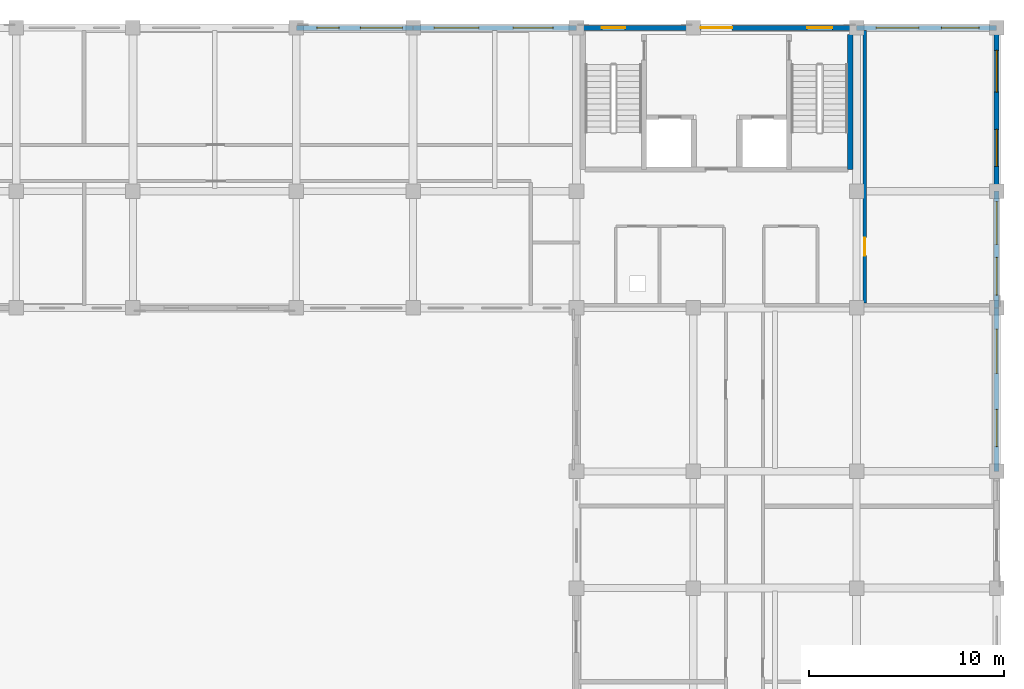
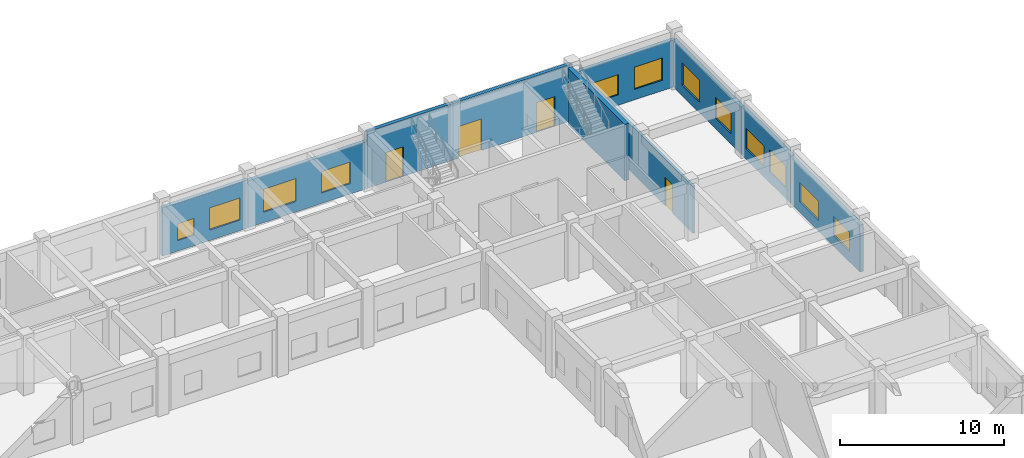
# One storey, part 48 of 67: 12 windows, 10 walls, 4 doors, 16 openings.
"""IFC4 building model written with IfcOpenShell, lengths in metres."""

from ifc_helpers import new_model, si_unit, direction, frame, frame_2d, origin, place, context, subcontext, project, spatial, rectangle, extrude, material, layer, layer_set, type_object, element, fill, save


model = new_model("IFC4")

# Units and contexts
model_context = context("Model", 3, precision=1e-05, world=origin(), true_north=direction((0.0, 1.0)))
body_context = subcontext(model_context, "Body", "Model", "MODEL_VIEW")
ifc_project = project(units=[si_unit("LENGTHUNIT", "METRE"), si_unit("AREAUNIT", "SQUARE_METRE"), si_unit("VOLUMEUNIT", "CUBIC_METRE"), si_unit("PLANEANGLEUNIT", "RADIAN"), si_unit("MASSUNIT", "GRAM", prefix="KILO"), si_unit("THERMODYNAMICTEMPERATUREUNIT", "KELVIN")], contexts=[model_context])

# Site, building, storey
site_placement = place(None, origin())
site = spatial("IfcSite", under=ifc_project, at=site_placement, CompositionType="ELEMENT")
building_placement = place(site_placement, origin())
building = spatial("IfcBuilding", under=site, at=building_placement, Name="Thalorik Housing Commons", CompositionType="ELEMENT")
storey_placement = place(building_placement, origin())
storey = spatial("IfcBuildingStorey", under=building, at=storey_placement, Name="L00", CompositionType="ELEMENT", Elevation=0.0)

# Wall
ifc_material_1 = material(Name="Concrete C40/50", Category="concrete")
ifc_layer_1 = layer(ifc_material_1, 0.300048828125, Name="Concrete C40/50", Category="concrete")
ifc_layer_set_1 = layer_set([ifc_layer_1], Name="Concrete C40/50")
wall_type_1 = type_object("IfcWallType", Name="ARC-WAL-CORE-300", PredefinedType="SHEAR", material=ifc_layer_set_1)
wall_1_placement = place(storey_placement, frame((166.47509765625, 123.25, 0.0), z_axis=(0.0, 0.0, 1.0), x_axis=(0.0, -1.0, 0.0)))
element("IfcWall", 1, at=wall_1_placement, inside=storey, type_object=wall_type_1, Name="L00 Core B Stair 2 Outer Shear Wall", PredefinedType="SHEAR", context=body_context, shape_type="SweptSolid", body=[
    extrude(rectangle(XDim=6.925048828125, YDim=0.300048828125, at=frame_2d((3.46240234375, 0.0))), origin(), (0.0, 0.0, 1.0), 4.199951171875),
])

# Wall, opening, door
ifc_material_2 = material(Name="Masonry fire-rated corridor wall", Category="masonry")
ifc_layer_2 = layer(ifc_material_2, 0.1650390625, Name="Masonry fire-rated corridor wall", Category="masonry")
ifc_layer_set_2 = layer_set([ifc_layer_2], Name="Masonry fire-rated corridor wall")
wall_type_2 = type_object("IfcWallType", Name="ARC-WAL-CORR-165", PredefinedType="PARTITIONING", material=ifc_layer_set_2)
wall_2_placement = place(storey_placement, frame((167.219970703125, 109.44189453125, 0.0), z_axis=(0.0, 0.0, 1.0), x_axis=(0.0, 1.0, 0.0)))
wall_2 = element("IfcWall", 2, at=wall_2_placement, inside=storey, type_object=wall_type_2, Name="L00 Block B East Studio Wall", PredefinedType="PARTITIONING", context=body_context, shape_type="SweptSolid", body=[
    extrude(rectangle(XDim=14.01806640625, YDim=0.1650390625, at=frame_2d((7.009033203125, 0.0))), origin(), (0.0, 0.0, 1.0), 3.485107421875),
])
opening_1_placement = place(wall_2_placement, frame((2.447998046875, 0.0, 0.0)))
opening_1 = element("IfcOpeningElement", 3, at=opening_1_placement, cuts=wall_2, Name="Opening ID-1003", PredefinedType="OPENING", context=body_context, shape_type="SweptSolid", body=[
    extrude(rectangle(XDim=0.919921875, YDim=2.10009765625, at=frame_2d((0.4599609375, 1.050048828125))), frame((0.0, 0.092529296875, 0.0), z_axis=(0.0, -1.0, 0.0), x_axis=(1.0, 0.0, 0.0)), (0.0, 0.0, 1.0), 0.18505859375),
])
ifc_material_3 = material(Name="Solid core hardwood timber", Category="wood")
door_type_1 = type_object("IfcDoorType", Name="ARC-DR-FD30-920", OperationType="NOTDEFINED", PredefinedType="DOOR", material=ifc_material_3)
door_1_placement = place(opening_1_placement, origin())
door_1 = element("IfcDoor", 4, at=door_1_placement, inside=storey, type_object=door_type_1, Name="L00 Block B East Room Door", OperationType="SINGLE_SWING_RIGHT", OverallHeight=2.10009765625, OverallWidth=0.919921875, PredefinedType="DOOR", context=body_context, shape_type="SweptSolid", body=[
    extrude(rectangle(XDim=0.919921875, YDim=2.10009765625, at=frame_2d((0.4599609375, 1.050048828125))), frame((0.0, 0.02490234375, 0.0), z_axis=(0.0, -1.0, 0.0), x_axis=(1.0, 0.0, 0.0)), (0.0, 0.0, 1.0), 0.050048828125),
])
fill(opening_1, door_1)

# Wall, openings, windows
ifc_material_4 = material(Name="White precast concrete C40/50", Category="concrete")
ifc_layer_3 = layer(ifc_material_4, 0.2548828125, Name="White precast concrete C40/50", Category="concrete")
ifc_layer_set_3 = layer_set([ifc_layer_3], Name="White precast concrete C40/50")
wall_type_3 = type_object("IfcWallType", Name="ARC-WAL-EXT-255", PredefinedType="STANDARD", material=ifc_layer_set_3)
wall_3_placement = place(storey_placement, frame((174.0, 109.199951171875, 0.0), z_axis=(0.0, 0.0, 1.0), x_axis=(0.0, 1.0, 0.0)))
wall_3 = element("IfcWall", 5, at=wall_3_placement, inside=storey, type_object=wall_type_3, Name="L00 Exterior Wall WAL-EXT-L00-B-0369", PredefinedType="STANDARD", context=body_context, shape_type="SweptSolid", body=[
    extrude(rectangle(XDim=6.0, YDim=0.2548828125, at=frame_2d((3.0, 0.0))), origin(), (0.0, 0.0, 1.0), 3.5849609375),
])
opening_2_placement = place(wall_3_placement, frame((0.655029296875, 0.0, 0.780029296875)))
opening_2 = element("IfcOpeningElement", 6, at=opening_2_placement, cuts=wall_3, Name="Opening W-22", PredefinedType="OPENING", context=body_context, shape_type="SweptSolid", body=[
    extrude(rectangle(XDim=1.949951171875, YDim=1.64990234375, at=frame_2d((0.97509765625, 0.824951171875))), frame((0.0, 0.137451171875, 0.0), z_axis=(0.0, -1.0, 0.0), x_axis=(1.0, 0.0, 0.0)), (0.0, 0.0, 1.0), 0.27490234375),
])
opening_3_placement = place(wall_3_placement, frame((3.27001953125, 0.0, 0.780029296875)))
opening_3 = element("IfcOpeningElement", 7, at=opening_3_placement, cuts=wall_3, Name="Opening W-29", PredefinedType="OPENING", context=body_context, shape_type="SweptSolid", body=[
    extrude(rectangle(XDim=2.199951171875, YDim=1.5, at=frame_2d((1.10009765625, 0.75))), frame((0.0, 0.137451171875, 0.0), z_axis=(0.0, -1.0, 0.0), x_axis=(1.0, 0.0, 0.0)), (0.0, 0.0, 1.0), 0.27490234375),
])
ifc_material_5 = material(Name="Anodised aluminium and solar-control low-E glass", Category="aluminium")
window_type_1 = type_object("IfcWindowType", Name="ARC-WIN-22", PartitioningType="DOUBLE_PANEL_VERTICAL", PredefinedType="WINDOW", material=ifc_material_5)
window_1_placement = place(opening_2_placement, origin())
window_1 = element("IfcWindow", 8, at=window_1_placement, inside=storey, type_object=window_type_1, Name="L00 Facade Window 655", OverallHeight=1.64990234375, OverallWidth=1.949951171875, PartitioningType="DOUBLE_PANEL_VERTICAL", PredefinedType="WINDOW", context=body_context, shape_type="SweptSolid", body=[
    extrude(rectangle(XDim=1.949951171875, YDim=1.64990234375, at=frame_2d((0.97509765625, 0.824951171875))), frame((0.0, 0.030029296875, 0.0), z_axis=(0.0, -1.0, 0.0), x_axis=(1.0, 0.0, 0.0)), (0.0, 0.0, 1.0), 0.06005859375),
])
fill(opening_2, window_1)
window_type_2 = type_object("IfcWindowType", Name="ARC-WIN-29", PartitioningType="DOUBLE_PANEL_VERTICAL", PredefinedType="WINDOW", material=ifc_material_5)
window_2_placement = place(opening_3_placement, origin())
window_2 = element("IfcWindow", 9, at=window_2_placement, inside=storey, type_object=window_type_2, Name="L00 Facade Window 656", OverallHeight=1.5, OverallWidth=2.199951171875, PartitioningType="DOUBLE_PANEL_VERTICAL", PredefinedType="WINDOW", context=body_context, shape_type="SweptSolid", body=[
    extrude(rectangle(XDim=2.199951171875, YDim=1.5, at=frame_2d((1.10009765625, 0.75))), frame((0.0, 0.030029296875, 0.0), z_axis=(0.0, -1.0, 0.0), x_axis=(1.0, 0.0, 0.0)), (0.0, 0.0, 1.0), 0.06005859375),
])
fill(opening_3, window_2)

wall_4_placement = place(storey_placement, frame((174.0, 115.199951171875, 0.0), z_axis=(0.0, 0.0, 1.0), x_axis=(0.0, 1.0, 0.0)))
wall_4 = element("IfcWall", 10, at=wall_4_placement, inside=storey, type_object=wall_type_3, Name="L00 Exterior Wall WAL-EXT-L00-B-0370", PredefinedType="STANDARD", context=body_context, shape_type="SweptSolid", body=[
    extrude(rectangle(XDim=8.400146484375, YDim=0.2548828125, at=frame_2d((4.2001953125, 0.0))), origin(), (0.0, 0.0, 1.0), 3.485107421875),
])
opening_4_placement = place(wall_4_placement, frame((1.280029296875, 0.0, 0.780029296875)))
opening_4 = element("IfcOpeningElement", 11, at=opening_4_placement, cuts=wall_4, Name="Opening W-21", PredefinedType="OPENING", context=body_context, shape_type="SweptSolid", body=[
    extrude(rectangle(XDim=1.89990234375, YDim=1.550048828125, at=frame_2d((0.949951171875, 0.77490234375))), frame((0.0, 0.137451171875, 0.0), z_axis=(0.0, -1.0, 0.0), x_axis=(1.0, 0.0, 0.0)), (0.0, 0.0, 1.0), 0.27490234375),
])
opening_5_placement = place(wall_4_placement, frame((5.094970703125, 0.0, 0.780029296875)))
opening_5 = element("IfcOpeningElement", 12, at=opening_5_placement, cuts=wall_4, Name="Opening W-28", PredefinedType="OPENING", context=body_context, shape_type="SweptSolid", body=[
    extrude(rectangle(XDim=2.14990234375, YDim=1.64990234375, at=frame_2d((1.074951171875, 0.824951171875))), frame((0.0, 0.137451171875, 0.0), z_axis=(0.0, -1.0, 0.0), x_axis=(1.0, 0.0, 0.0)), (0.0, 0.0, 1.0), 0.27490234375),
])
window_type_3 = type_object("IfcWindowType", Name="ARC-WIN-21", PartitioningType="DOUBLE_PANEL_VERTICAL", PredefinedType="WINDOW", material=ifc_material_5)
window_3_placement = place(opening_4_placement, origin())
window_3 = element("IfcWindow", 13, at=window_3_placement, inside=storey, type_object=window_type_3, Name="L00 Facade Window 657", OverallHeight=1.550048828125, OverallWidth=1.89990234375, PartitioningType="DOUBLE_PANEL_VERTICAL", PredefinedType="WINDOW", context=body_context, shape_type="SweptSolid", body=[
    extrude(rectangle(XDim=1.89990234375, YDim=1.550048828125, at=frame_2d((0.949951171875, 0.77490234375))), frame((0.0, 0.030029296875, 0.0), z_axis=(0.0, -1.0, 0.0), x_axis=(1.0, 0.0, 0.0)), (0.0, 0.0, 1.0), 0.06005859375),
])
fill(opening_4, window_3)
window_type_4 = type_object("IfcWindowType", Name="ARC-WIN-28", PartitioningType="DOUBLE_PANEL_VERTICAL", PredefinedType="WINDOW", material=ifc_material_5)
window_4_placement = place(opening_5_placement, origin())
window_4 = element("IfcWindow", 14, at=window_4_placement, inside=storey, type_object=window_type_4, Name="L00 Facade Window 658", OverallHeight=1.64990234375, OverallWidth=2.14990234375, PartitioningType="DOUBLE_PANEL_VERTICAL", PredefinedType="WINDOW", context=body_context, shape_type="SweptSolid", body=[
    extrude(rectangle(XDim=2.14990234375, YDim=1.64990234375, at=frame_2d((1.074951171875, 0.824951171875))), frame((0.0, 0.030029296875, 0.0), z_axis=(0.0, -1.0, 0.0), x_axis=(1.0, 0.0, 0.0)), (0.0, 0.0, 1.0), 0.06005859375),
])
fill(opening_5, window_4)

wall_5_placement = place(storey_placement, frame((174.0, 123.60009765625, 0.0), z_axis=(0.0, 0.0, 1.0), x_axis=(-1.0, 0.0, 0.0)))
wall_5 = element("IfcWall", 15, at=wall_5_placement, inside=storey, type_object=wall_type_3, Name="L00 Exterior Wall WAL-EXT-L00-B-0371", PredefinedType="STANDARD", context=body_context, shape_type="SweptSolid", body=[
    extrude(rectangle(XDim=7.199951171875, YDim=0.2548828125, at=frame_2d((3.60009765625, 0.0))), origin(), (0.0, 0.0, 1.0), 3.485107421875),
])
opening_6_placement = place(wall_5_placement, frame((0.8974609375, 0.0, 0.780029296875)))
opening_6 = element("IfcOpeningElement", 16, at=opening_6_placement, cuts=wall_5, Name="Opening W-22", PredefinedType="OPENING", context=body_context, shape_type="SweptSolid", body=[
    extrude(rectangle(XDim=1.949951171875, YDim=1.64990234375, at=frame_2d((0.97509765625, 0.824951171875))), frame((0.0, 0.137451171875, 0.0), z_axis=(0.0, -1.0, 0.0), x_axis=(1.0, 0.0, 0.0)), (0.0, 0.0, 1.0), 0.27490234375),
])
opening_7_placement = place(wall_5_placement, frame((3.99755859375, 0.0, 0.780029296875)))
opening_7 = element("IfcOpeningElement", 17, at=opening_7_placement, cuts=wall_5, Name="Opening W-29", PredefinedType="OPENING", context=body_context, shape_type="SweptSolid", body=[
    extrude(rectangle(XDim=2.199951171875, YDim=1.5, at=frame_2d((1.10009765625, 0.75))), frame((0.0, 0.137451171875, 0.0), z_axis=(0.0, -1.0, 0.0), x_axis=(1.0, 0.0, 0.0)), (0.0, 0.0, 1.0), 0.27490234375),
])
window_5_placement = place(opening_6_placement, origin())
window_5 = element("IfcWindow", 18, at=window_5_placement, inside=storey, type_object=window_type_1, Name="L00 Facade Window 659", OverallHeight=1.64990234375, OverallWidth=1.949951171875, PartitioningType="DOUBLE_PANEL_VERTICAL", PredefinedType="WINDOW", context=body_context, shape_type="SweptSolid", body=[
    extrude(rectangle(XDim=1.949951171875, YDim=1.64990234375, at=frame_2d((0.97509765625, 0.824951171875))), frame((0.0, 0.030029296875, 0.0), z_axis=(0.0, -1.0, 0.0), x_axis=(1.0, 0.0, 0.0)), (0.0, 0.0, 1.0), 0.06005859375),
])
fill(opening_6, window_5)
window_6_placement = place(opening_7_placement, origin())
window_6 = element("IfcWindow", 19, at=window_6_placement, inside=storey, type_object=window_type_2, Name="L00 Facade Window 660", OverallHeight=1.5, OverallWidth=2.199951171875, PartitioningType="DOUBLE_PANEL_VERTICAL", PredefinedType="WINDOW", context=body_context, shape_type="SweptSolid", body=[
    extrude(rectangle(XDim=2.199951171875, YDim=1.5, at=frame_2d((1.10009765625, 0.75))), frame((0.0, 0.030029296875, 0.0), z_axis=(0.0, -1.0, 0.0), x_axis=(1.0, 0.0, 0.0)), (0.0, 0.0, 1.0), 0.06005859375),
])
fill(opening_7, window_6)

# Wall, openings, doors
wall_6_placement = place(storey_placement, frame((166.800048828125, 123.60009765625, 0.0), z_axis=(0.0, 0.0, 1.0), x_axis=(-1.0, 0.0, 0.0)))
wall_6 = element("IfcWall", 20, at=wall_6_placement, inside=storey, type_object=wall_type_3, Name="L00 Exterior Wall WAL-EXT-L00-B-0372", PredefinedType="STANDARD", context=body_context, shape_type="SweptSolid", body=[
    extrude(rectangle(XDim=8.400146484375, YDim=0.2548828125, at=frame_2d((4.2001953125, 0.0))), origin(), (0.0, 0.0, 1.0), 4.199951171875),
])
opening_8_placement = place(wall_6_placement, frame((6.39990234375, 0.0, 0.0)))
opening_8 = element("IfcOpeningElement", 21, at=opening_8_placement, cuts=wall_6, Name="Opening ED-0116", PredefinedType="OPENING", context=body_context, shape_type="SweptSolid", body=[
    extrude(rectangle(XDim=1.60009765625, YDim=2.35009765625, at=frame_2d((0.800048828125, 1.175048828125))), frame((0.0, 0.137451171875, 0.0), z_axis=(0.0, -1.0, 0.0), x_axis=(1.0, 0.0, 0.0)), (0.0, 0.0, 1.0), 0.27490234375),
])
opening_9_placement = place(wall_6_placement, frame((1.25, 0.0, 0.0)))
opening_9 = element("IfcOpeningElement", 22, at=opening_9_placement, cuts=wall_6, Name="Opening ED-0117", PredefinedType="OPENING", context=body_context, shape_type="SweptSolid", body=[
    extrude(rectangle(XDim=1.300048828125, YDim=2.199951171875, at=frame_2d((0.64990234375, 1.10009765625))), frame((0.0, 0.137451171875, 0.0), z_axis=(0.0, -1.0, 0.0), x_axis=(1.0, 0.0, 0.0)), (0.0, 0.0, 1.0), 0.27490234375),
])
ifc_material_6 = material(Name="Anodised aluminium and laminated safety glass", Category="aluminium")
door_type_2 = type_object("IfcDoorType", Name="ARC-DR-EXT-EXIT-1300", OperationType="NOTDEFINED", PredefinedType="DOOR", material=ifc_material_6)
door_2_placement = place(opening_9_placement, frame((1.300048828125, 0.0, 0.0), z_axis=(0.0, 0.0, 1.0), x_axis=(-1.0, 0.0, 0.0)))
door_2 = element("IfcDoor", 23, at=door_2_placement, inside=storey, type_object=door_type_2, Name="L00 Stair ST-B2 Final Street Exit Door", OperationType="SINGLE_SWING_RIGHT", OverallHeight=2.199951171875, OverallWidth=1.300048828125, PredefinedType="DOOR", context=body_context, shape_type="SweptSolid", body=[
    extrude(rectangle(XDim=1.300048828125, YDim=2.199951171875, at=frame_2d((0.64990234375, 1.10009765625))), frame((0.0, 0.02490234375, 0.0), z_axis=(0.0, -1.0, 0.0), x_axis=(1.0, 0.0, 0.0)), (0.0, 0.0, 1.0), 0.050048828125),
])
fill(opening_9, door_2)
door_type_3 = type_object("IfcDoorType", Name="ARC-DR-EXT-LOB-1600", OperationType="NOTDEFINED", PredefinedType="DOOR", material=ifc_material_6)
door_3_placement = place(opening_8_placement, frame((1.60009765625, 0.0, 0.0), z_axis=(0.0, 0.0, 1.0), x_axis=(-1.0, 0.0, 0.0)))
door_3 = element("IfcDoor", 24, at=door_3_placement, inside=storey, type_object=door_type_3, Name="L00 Block B Main Lobby Street Entrance Door", OperationType="DOUBLE_DOOR_SINGLE_SWING", OverallHeight=2.35009765625, OverallWidth=1.60009765625, PredefinedType="DOOR", context=body_context, shape_type="SweptSolid", body=[
    extrude(rectangle(XDim=1.60009765625, YDim=2.35009765625, at=frame_2d((0.800048828125, 1.175048828125))), frame((0.0, 0.02490234375, 0.0), z_axis=(0.0, -1.0, 0.0), x_axis=(1.0, 0.0, 0.0)), (0.0, 0.0, 1.0), 0.050048828125),
])
fill(opening_8, door_3)

# Wall, opening, door
wall_7_placement = place(storey_placement, frame((158.39990234375, 123.60009765625, 0.0), z_axis=(0.0, 0.0, 1.0), x_axis=(-1.0, 0.0, 0.0)))
wall_7 = element("IfcWall", 25, at=wall_7_placement, inside=storey, type_object=wall_type_3, Name="L00 Exterior Wall WAL-EXT-L00-B-0373", PredefinedType="STANDARD", context=body_context, shape_type="SweptSolid", body=[
    extrude(rectangle(XDim=6.0, YDim=0.2548828125, at=frame_2d((3.0, 0.0))), origin(), (0.0, 0.0, 1.0), 4.199951171875),
])
opening_10_placement = place(wall_7_placement, frame((3.5, 0.0, 0.0)))
opening_10 = element("IfcOpeningElement", 26, at=opening_10_placement, cuts=wall_7, Name="Opening ED-0118", PredefinedType="OPENING", context=body_context, shape_type="SweptSolid", body=[
    extrude(rectangle(XDim=1.199951171875, YDim=2.199951171875, at=frame_2d((0.60009765625, 1.10009765625))), frame((0.0, 0.137451171875, 0.0), z_axis=(0.0, -1.0, 0.0), x_axis=(1.0, 0.0, 0.0)), (0.0, 0.0, 1.0), 0.27490234375),
])
door_type_4 = type_object("IfcDoorType", Name="ARC-DR-EXT-EXIT-1200", OperationType="NOTDEFINED", PredefinedType="DOOR", material=ifc_material_6)
door_4_placement = place(opening_10_placement, frame((1.199951171875, 0.0, 0.0), z_axis=(0.0, 0.0, 1.0), x_axis=(-1.0, 0.0, 0.0)))
door_4 = element("IfcDoor", 27, at=door_4_placement, inside=storey, type_object=door_type_4, Name="L00 Stair ST-B1 Final Street Exit Door", OperationType="SINGLE_SWING_LEFT", OverallHeight=2.199951171875, OverallWidth=1.199951171875, PredefinedType="DOOR", context=body_context, shape_type="SweptSolid", body=[
    extrude(rectangle(XDim=1.199951171875, YDim=2.199951171875, at=frame_2d((0.60009765625, 1.10009765625))), frame((0.0, 0.02490234375, 0.0), z_axis=(0.0, -1.0, 0.0), x_axis=(1.0, 0.0, 0.0)), (0.0, 0.0, 1.0), 0.050048828125),
])
fill(opening_10, door_4)

# Wall, openings, windows
wall_8_placement = place(storey_placement, frame((152.39990234375, 123.60009765625, 0.0), z_axis=(0.0, 0.0, 1.0), x_axis=(-1.0, 0.0, 0.0)))
wall_8 = element("IfcWall", 28, at=wall_8_placement, inside=storey, type_object=wall_type_3, Name="L00 Exterior Wall WAL-EXT-L00-B-0374", PredefinedType="STANDARD", context=body_context, shape_type="SweptSolid", body=[
    extrude(rectangle(XDim=8.39990234375, YDim=0.2548828125, at=frame_2d((4.199951171875, 0.0))), origin(), (0.0, 0.0, 1.0), 3.485107421875),
])
opening_11_placement = place(wall_8_placement, frame((1.205078125, 0.0, 0.780029296875)))
opening_11 = element("IfcOpeningElement", 29, at=opening_11_placement, cuts=wall_8, Name="Opening W-25", PredefinedType="OPENING", context=body_context, shape_type="SweptSolid", body=[
    extrude(rectangle(XDim=2.050048828125, YDim=1.60009765625, at=frame_2d((1.02490234375, 0.800048828125))), frame((0.0, 0.137451171875, 0.0), z_axis=(0.0, -1.0, 0.0), x_axis=(1.0, 0.0, 0.0)), (0.0, 0.0, 1.0), 0.27490234375),
])
opening_12_placement = place(wall_8_placement, frame((5.02001953125, 0.0, 0.780029296875)))
opening_12 = element("IfcOpeningElement", 30, at=opening_12_placement, cuts=wall_8, Name="Opening W-32", PredefinedType="OPENING", context=body_context, shape_type="SweptSolid", body=[
    extrude(rectangle(XDim=2.300048828125, YDim=1.699951171875, at=frame_2d((1.14990234375, 0.85009765625))), frame((0.0, 0.137451171875, 0.0), z_axis=(0.0, -1.0, 0.0), x_axis=(1.0, 0.0, 0.0)), (0.0, 0.0, 1.0), 0.27490234375),
])
window_type_5 = type_object("IfcWindowType", Name="ARC-WIN-25", PartitioningType="DOUBLE_PANEL_VERTICAL", PredefinedType="WINDOW", material=ifc_material_5)
window_7_placement = place(opening_11_placement, origin())
window_7 = element("IfcWindow", 31, at=window_7_placement, inside=storey, type_object=window_type_5, Name="L00 Facade Window 661", OverallHeight=1.60009765625, OverallWidth=2.050048828125, PartitioningType="DOUBLE_PANEL_VERTICAL", PredefinedType="WINDOW", context=body_context, shape_type="SweptSolid", body=[
    extrude(rectangle(XDim=2.050048828125, YDim=1.60009765625, at=frame_2d((1.02490234375, 0.800048828125))), frame((0.0, 0.030029296875, 0.0), z_axis=(0.0, -1.0, 0.0), x_axis=(1.0, 0.0, 0.0)), (0.0, 0.0, 1.0), 0.06005859375),
])
fill(opening_11, window_7)
window_type_6 = type_object("IfcWindowType", Name="ARC-WIN-32", PartitioningType="DOUBLE_PANEL_VERTICAL", PredefinedType="WINDOW", material=ifc_material_5)
window_8_placement = place(opening_12_placement, origin())
window_8 = element("IfcWindow", 32, at=window_8_placement, inside=storey, type_object=window_type_6, Name="L00 Facade Window 662", OverallHeight=1.699951171875, OverallWidth=2.300048828125, PartitioningType="DOUBLE_PANEL_VERTICAL", PredefinedType="WINDOW", context=body_context, shape_type="SweptSolid", body=[
    extrude(rectangle(XDim=2.300048828125, YDim=1.699951171875, at=frame_2d((1.14990234375, 0.85009765625))), frame((0.0, 0.030029296875, 0.0), z_axis=(0.0, -1.0, 0.0), x_axis=(1.0, 0.0, 0.0)), (0.0, 0.0, 1.0), 0.06005859375),
])
fill(opening_12, window_8)

wall_9_placement = place(storey_placement, frame((144.0, 123.60009765625, 0.0), z_axis=(0.0, 0.0, 1.0), x_axis=(-1.0, 0.0, 0.0)))
wall_9 = element("IfcWall", 33, at=wall_9_placement, inside=storey, type_object=wall_type_3, Name="L00 Exterior Wall WAL-EXT-L00-B-0375", PredefinedType="STANDARD", context=body_context, shape_type="SweptSolid", body=[
    extrude(rectangle(XDim=6.0, YDim=0.2548828125, at=frame_2d((3.0, 0.0))), origin(), (0.0, 0.0, 1.0), 3.5849609375),
])
opening_13_placement = place(wall_9_placement, frame((0.554931640625, 0.0, 0.780029296875)))
opening_13 = element("IfcOpeningElement", 34, at=opening_13_placement, cuts=wall_9, Name="Opening W-28", PredefinedType="OPENING", context=body_context, shape_type="SweptSolid", body=[
    extrude(rectangle(XDim=2.14990234375, YDim=1.64990234375, at=frame_2d((1.074951171875, 0.824951171875))), frame((0.0, 0.137451171875, 0.0), z_axis=(0.0, -1.0, 0.0), x_axis=(1.0, 0.0, 0.0)), (0.0, 0.0, 1.0), 0.27490234375),
])
opening_14_placement = place(wall_9_placement, frame((3.794921875, 0.0, 0.780029296875)))
opening_14 = element("IfcOpeningElement", 35, at=opening_14_placement, cuts=wall_9, Name="Opening W-45", PredefinedType="OPENING", context=body_context, shape_type="SweptSolid", body=[
    extrude(rectangle(XDim=1.14990234375, YDim=1.25, at=frame_2d((0.574951171875, 0.625))), frame((0.0, 0.137451171875, 0.0), z_axis=(0.0, -1.0, 0.0), x_axis=(1.0, 0.0, 0.0)), (0.0, 0.0, 1.0), 0.27490234375),
])
window_9_placement = place(opening_13_placement, origin())
window_9 = element("IfcWindow", 36, at=window_9_placement, inside=storey, type_object=window_type_4, Name="L00 Facade Window 663", OverallHeight=1.64990234375, OverallWidth=2.14990234375, PartitioningType="DOUBLE_PANEL_VERTICAL", PredefinedType="WINDOW", context=body_context, shape_type="SweptSolid", body=[
    extrude(rectangle(XDim=2.14990234375, YDim=1.64990234375, at=frame_2d((1.074951171875, 0.824951171875))), frame((0.0, 0.030029296875, 0.0), z_axis=(0.0, -1.0, 0.0), x_axis=(1.0, 0.0, 0.0)), (0.0, 0.0, 1.0), 0.06005859375),
])
fill(opening_13, window_9)
window_type_7 = type_object("IfcWindowType", Name="ARC-WIN-45", PartitioningType="SINGLE_PANEL", PredefinedType="WINDOW", material=ifc_material_5)
window_10_placement = place(opening_14_placement, origin())
window_10 = element("IfcWindow", 37, at=window_10_placement, inside=storey, type_object=window_type_7, Name="L00 Facade Window 664", OverallHeight=1.25, OverallWidth=1.14990234375, PartitioningType="SINGLE_PANEL", PredefinedType="WINDOW", context=body_context, shape_type="SweptSolid", body=[
    extrude(rectangle(XDim=1.14990234375, YDim=1.25, at=frame_2d((0.574951171875, 0.625))), frame((0.0, 0.030029296875, 0.0), z_axis=(0.0, -1.0, 0.0), x_axis=(1.0, 0.0, 0.0)), (0.0, 0.0, 1.0), 0.06005859375),
])
fill(opening_14, window_10)

wall_10_placement = place(storey_placement, frame((174.0, 100.800048828125, 0.0), z_axis=(0.0, 0.0, 1.0), x_axis=(0.0, 1.0, 0.0)))
wall_10 = element("IfcWall", 38, at=wall_10_placement, inside=storey, type_object=wall_type_3, Name="L00 Exterior Wall WAL-EXT-L00-B-0406", PredefinedType="STANDARD", context=body_context, shape_type="SweptSolid", body=[
    extrude(rectangle(XDim=8.39990234375, YDim=0.2548828125, at=frame_2d((4.199951171875, 0.0))), origin(), (0.0, 0.0, 1.0), 3.485107421875),
])
opening_15_placement = place(wall_10_placement, frame((1.27001953125, 0.0, 0.780029296875)))
opening_15 = element("IfcOpeningElement", 39, at=opening_15_placement, cuts=wall_10, Name="Opening W-60", PredefinedType="OPENING", context=body_context, shape_type="SweptSolid", body=[
    extrude(rectangle(XDim=1.919921875, YDim=1.43994140625, at=frame_2d((0.9599609375, 0.719970703125))), frame((0.0, 0.137451171875, 0.0), z_axis=(0.0, -1.0, 0.0), x_axis=(1.0, 0.0, 0.0)), (0.0, 0.0, 1.0), 0.27490234375),
])
opening_16_placement = place(wall_10_placement, frame((5.030029296875, 0.0, 0.780029296875)))
opening_16 = element("IfcOpeningElement", 40, at=opening_16_placement, cuts=wall_10, Name="Opening W-67", PredefinedType="OPENING", context=body_context, shape_type="SweptSolid", body=[
    extrude(rectangle(XDim=2.280029296875, YDim=1.4599609375, at=frame_2d((1.14013671875, 0.72998046875))), frame((0.0, 0.137451171875, 0.0), z_axis=(0.0, -1.0, 0.0), x_axis=(1.0, 0.0, 0.0)), (0.0, 0.0, 1.0), 0.27490234375),
])
window_type_8 = type_object("IfcWindowType", Name="ARC-WIN-60", PartitioningType="DOUBLE_PANEL_VERTICAL", PredefinedType="WINDOW", material=ifc_material_5)
window_11_placement = place(opening_15_placement, origin())
window_11 = element("IfcWindow", 41, at=window_11_placement, inside=storey, type_object=window_type_8, Name="L00 Facade Window 724", OverallHeight=1.43994140625, OverallWidth=1.919921875, PartitioningType="DOUBLE_PANEL_VERTICAL", PredefinedType="WINDOW", context=body_context, shape_type="SweptSolid", body=[
    extrude(rectangle(XDim=1.919921875, YDim=1.43994140625, at=frame_2d((0.9599609375, 0.719970703125))), frame((0.0, 0.030029296875, 0.0), z_axis=(0.0, -1.0, 0.0), x_axis=(1.0, 0.0, 0.0)), (0.0, 0.0, 1.0), 0.06005859375),
])
fill(opening_15, window_11)
window_type_9 = type_object("IfcWindowType", Name="ARC-WIN-67", PartitioningType="DOUBLE_PANEL_VERTICAL", PredefinedType="WINDOW", material=ifc_material_5)
window_12_placement = place(opening_16_placement, origin())
window_12 = element("IfcWindow", 42, at=window_12_placement, inside=storey, type_object=window_type_9, Name="L00 Facade Window 725", OverallHeight=1.4599609375, OverallWidth=2.280029296875, PartitioningType="DOUBLE_PANEL_VERTICAL", PredefinedType="WINDOW", context=body_context, shape_type="SweptSolid", body=[
    extrude(rectangle(XDim=2.280029296875, YDim=1.4599609375, at=frame_2d((1.14013671875, 0.72998046875))), frame((0.0, 0.030029296875, 0.0), z_axis=(0.0, -1.0, 0.0), x_axis=(1.0, 0.0, 0.0)), (0.0, 0.0, 1.0), 0.06005859375),
])
fill(opening_16, window_12)

save(model, "model.ifc")
